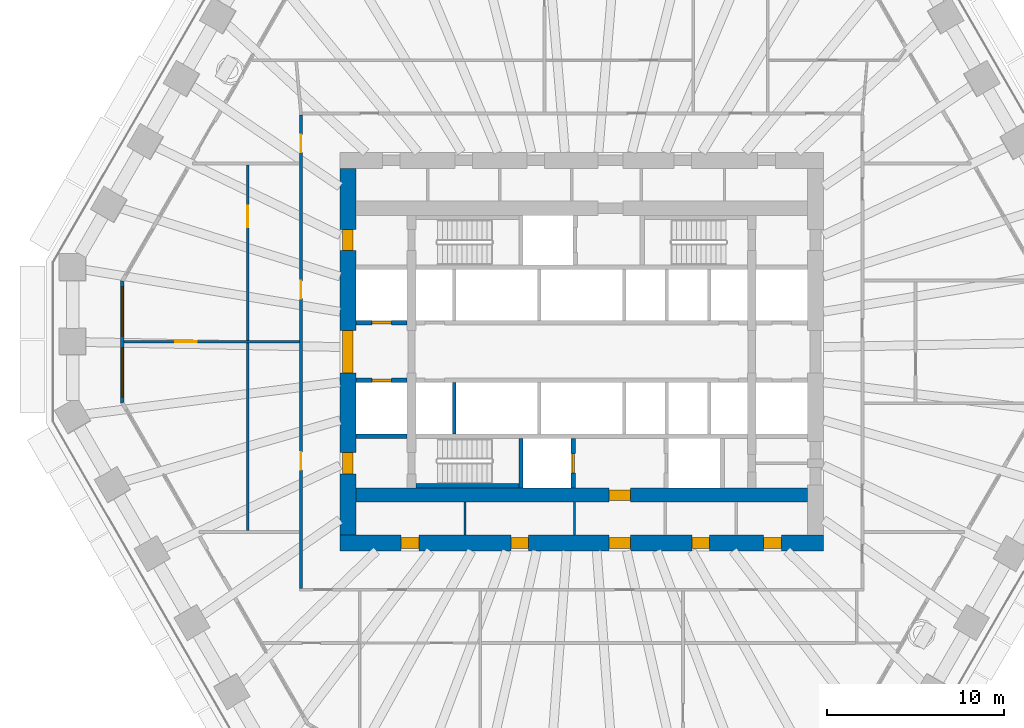
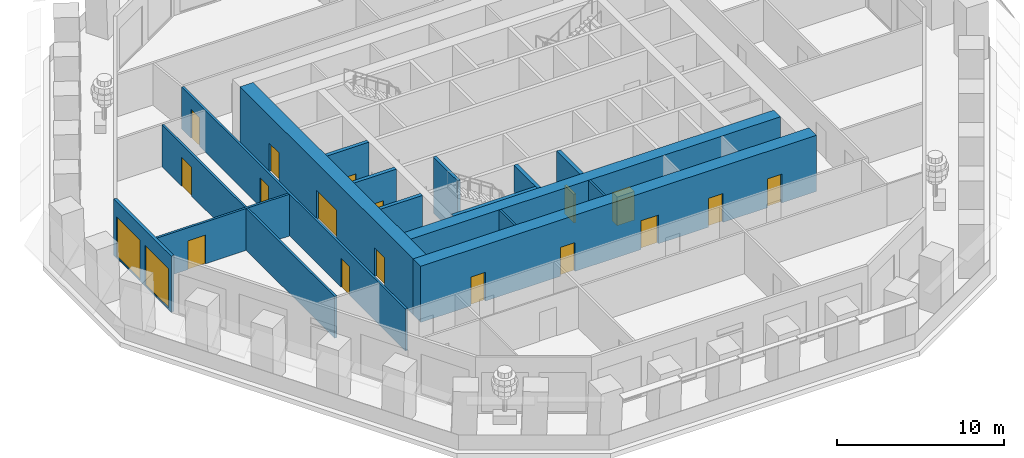
# One storey, part 4 of 13: 17 doors, 16 walls, 2 windows, 19 openings.
"""IFC4 building model written with IfcOpenShell, lengths in metres."""

import ifcopenshell
import ifcopenshell.guid

model = None  # the IFC model being written
_history = None  # IfcOwnerHistory: only IFC2X3 demands one
_inside = {}  # id of a spatial element -> (the spatial element, [elements in it])
_under = {}  # id of a project, library or spatial element -> (it, [spatial elements below it])
_declared = {}  # id of a project -> (the project, [libraries it declares])
_typed = {}  # id of a type object -> (the type object, [elements of that type])
_made_of = {}  # id of a material, layer set ... -> (it, [elements and type objects made of it])


def new_model(schema):
    """Start an empty IFC model of exactly this schema.

    Asked for "IFC4X3", IfcOpenShell would pick the latest addendum, in which some entities
    have other attributes; the version numbers below select the first issue.
    IFC2X3 requires an IfcOwnerHistory on every rooted entity: one is made here for all.
    """
    global model, _history
    if schema == "IFC4X3":
        model = ifcopenshell.file(schema_version=(4, 3, 0, 0))
    else:
        model = ifcopenshell.file(schema=schema)
    _inside.clear()
    _under.clear()
    _declared.clear()
    _typed.clear()
    _made_of.clear()
    _history = None
    if model.schema == "IFC2X3":
        org = make("IfcOrganization", Name="unknown")
        user = make(
            "IfcPersonAndOrganization",
            ThePerson=make("IfcPerson", FamilyName="unknown"),
            TheOrganization=org,
        )
        app = make(
            "IfcApplication",
            ApplicationDeveloper=org,
            Version="unknown",
            ApplicationFullName="unknown",
            ApplicationIdentifier="unknown",
        )
        _history = make(
            "IfcOwnerHistory",
            OwningUser=user,
            OwningApplication=app,
            ChangeAction="ADDED",
            CreationDate=0,
        )
    return model


def make(cls, **values):
    """One entity of the class cls with the attributes given. An attribute that is None is left unset."""
    return model.create_entity(
        cls, **{name: value for name, value in values.items() if value is not None}
    )


def rooted(cls, **values):
    """An entity with a GlobalId (a new one), such as an element, a storey or a relation."""
    return make(cls, GlobalId=ifcopenshell.guid.new(), OwnerHistory=_history, **values)


def si_unit(unit_type, name, prefix=None):
    """IfcSIUnit, for example si_unit("LENGTHUNIT", "METRE", prefix="MILLI")."""
    return make("IfcSIUnit", UnitType=unit_type, Prefix=prefix, Name=name)


def assignment(units):
    """IfcUnitAssignment: the units of a project."""
    return None if units is None else make("IfcUnitAssignment", Units=units)


def point(xyz):
    """IfcCartesianPoint."""
    return None if xyz is None else make("IfcCartesianPoint", Coordinates=xyz)


def direction(xyz):
    """IfcDirection."""
    return None if xyz is None else make("IfcDirection", DirectionRatios=xyz)


def frame(location, z_axis=None, x_axis=None):
    """IfcAxis2Placement3D, a coordinate frame: its origin and axes. An axis left out is left unset."""
    return make(
        "IfcAxis2Placement3D",
        Location=point(location),
        Axis=direction(z_axis),
        RefDirection=direction(x_axis),
    )


def frame_2d(location, x_axis=None):
    """IfcAxis2Placement2D, a coordinate frame in the plane: its origin and x axis."""
    return make(
        "IfcAxis2Placement2D", Location=point(location), RefDirection=direction(x_axis)
    )


def origin():
    """The frame at (0, 0, 0) with its axes left unset."""
    return frame((0.0, 0.0, 0.0))


def place(relative_to, where):
    """IfcLocalPlacement: puts the frame where relative to a parent placement (None: the world)."""
    return make(
        "IfcLocalPlacement", PlacementRelTo=relative_to, RelativePlacement=where
    )


def context(
    kind, dimensions, precision=None, world=None, true_north=None, identifier=None
):
    """IfcGeometricRepresentationContext, for example the 3D "Model" context."""
    return make(
        "IfcGeometricRepresentationContext",
        ContextIdentifier=identifier,
        ContextType=kind,
        CoordinateSpaceDimension=dimensions,
        Precision=precision,
        WorldCoordinateSystem=world,
        TrueNorth=true_north,
    )


def subcontext(parent, identifier, kind, view, scale=None):
    """IfcGeometricRepresentationSubContext, for example "Body" below "Model"."""
    return make(
        "IfcGeometricRepresentationSubContext",
        ContextIdentifier=identifier,
        ContextType=kind,
        ParentContext=parent,
        TargetScale=scale,
        TargetView=view,
    )


def project(units=None, contexts=None):
    """IfcProject with its units and contexts."""
    return rooted(
        "IfcProject",
        Name="project",
        RepresentationContexts=contexts,
        UnitsInContext=assignment(units),
    )


def spatial(cls, under=None, at=None, **own):
    """A site, building, storey or space (cls), placed at a placement, below another one or the project."""
    s = rooted(cls, ObjectPlacement=at, **own)
    if under is not None:
        _under.setdefault(under.id(), (under, []))[1].append(s)
    return s


def polyline(points):
    """IfcPolyline through the points."""
    return make("IfcPolyline", Points=[point(p) for p in points])


def profile(cls, at=None, kind="AREA", **sizes):
    """A parametric profile (cls). Its sizes go by their IFC names, for example OverallWidth=200.0."""
    return make(cls, ProfileType=kind, Position=at, **sizes)


def rectangle(**sizes):
    """IfcRectangleProfileDef."""
    return profile("IfcRectangleProfileDef", **sizes)


def outline(outer, holes=None, kind="AREA"):
    """IfcArbitraryClosedProfileDef: a profile drawn as a closed curve; with holes, ...WithVoids."""
    if holes is None:
        return make("IfcArbitraryClosedProfileDef", ProfileType=kind, OuterCurve=outer)
    return make(
        "IfcArbitraryProfileDefWithVoids",
        ProfileType=kind,
        OuterCurve=outer,
        InnerCurves=holes,
    )


def extrude(swept, where, along, depth):
    """IfcExtrudedAreaSolid: the profile swept, set in the frame where, extruded along a direction by depth."""
    return make(
        "IfcExtrudedAreaSolid",
        SweptArea=swept,
        Position=where,
        ExtrudedDirection=direction(along),
        Depth=depth,
    )


def shape(context_of_items, identifier, shape_type, items):
    """IfcShapeRepresentation: the items that make up one representation, for example the "Body"."""
    return make(
        "IfcShapeRepresentation",
        ContextOfItems=context_of_items,
        RepresentationIdentifier=identifier,
        RepresentationType=shape_type,
        Items=items,
    )


def material(Name=None, Category=None):
    """IfcMaterial."""
    return make("IfcMaterial", Name=Name, Category=Category)


def layer(
    of_material, thickness, ventilated=None, Name=None, Category=None, Priority=None
):
    """IfcMaterialLayer: one layer of a wall or slab, of a material (None: an air gap)."""
    return make(
        "IfcMaterialLayer",
        Material=of_material,
        LayerThickness=thickness,
        IsVentilated=ventilated,
        Name=Name,
        Category=Category,
        Priority=Priority,
    )


def layer_set(layers, Name=None):
    """IfcMaterialLayerSet."""
    return make("IfcMaterialLayerSet", MaterialLayers=layers, LayerSetName=Name)


def made_of(thing, what):
    """Note that an element or type object is made of a material, layer set ...; save() writes the relation."""
    if what is not None:
        _made_of.setdefault(what.id(), (what, []))[1].append(thing)
    return thing


def type_object(cls, material=None, **own):
    """A type object (cls), such as IfcWallType, which elements share."""
    return made_of(rooted(cls, **own), material)


def element(
    cls,
    number,
    at=None,
    inside=None,
    cuts=None,
    type_object=None,
    material=None,
    context=None,
    identifier="Body",
    shape_type=None,
    held_by="IfcProductDefinitionShape",
    body=None,
    shapes=None,
    **own,
):
    """One element of the class cls, such as IfcWall. Its Tag is "e" and its number.

    at: its placement. inside: the storey or other place that contains it. cuts: it is an
    opening in that element (IfcRelVoidsElement). A single representation is given by context,
    identifier, shape_type and body (its items); several are given by shapes. held_by: the class
    of the entity that holds the representations. save() writes the other relations.
    """
    e = rooted(cls, Tag="e%d" % number, ObjectPlacement=at, **own)
    if body is not None:
        shapes = [shape(context, identifier, shape_type, body)]
    if shapes is not None:
        e.Representation = make(held_by, Representations=shapes)
    if inside is not None:
        _inside.setdefault(inside.id(), (inside, []))[1].append(e)
    if cuts is not None:
        rooted(
            "IfcRelVoidsElement", RelatingBuildingElement=cuts, RelatedOpeningElement=e
        )
    if type_object is not None:
        _typed.setdefault(type_object.id(), (type_object, []))[1].append(e)
    return made_of(e, material)


def fill(opening, filler):
    """IfcRelFillsElement: the door or window that sits in an opening."""
    return rooted(
        "IfcRelFillsElement",
        RelatingOpeningElement=opening,
        RelatedBuildingElement=filler,
    )


def aggregate(whole, parts):
    """IfcRelAggregates: a whole, such as a stair, and the parts it consists of."""
    return rooted("IfcRelAggregates", RelatingObject=whole, RelatedObjects=parts)


def save(model, path):
    """Write the relations noted so far, then the file.

    IfcRelAggregates (storeys below a building ...), IfcRelContainedInSpatialStructure (elements
    in a storey), IfcRelDefinesByType, IfcRelAssociatesMaterial and IfcRelDeclares: one each for
    every whole, place, type object, material and project.
    """
    for whole, parts in _under.values():
        aggregate(whole, parts)
    for where, things in _inside.values():
        rooted(
            "IfcRelContainedInSpatialStructure",
            RelatedElements=things,
            RelatingStructure=where,
        )
    for kind, things in _typed.values():
        rooted("IfcRelDefinesByType", RelatedObjects=things, RelatingType=kind)
    for what, things in _made_of.values():
        rooted("IfcRelAssociatesMaterial", RelatedObjects=things, RelatingMaterial=what)
    for by, libraries in _declared.values():
        rooted("IfcRelDeclares", RelatingContext=by, RelatedDefinitions=libraries)
    model.write(path)


model = new_model("IFC4")

# Units and contexts
model_context = context("Model", 3, precision=1e-05, world=origin(), true_north=direction((0.0, 1.0)))
body_context = subcontext(model_context, "Body", "Model", "MODEL_VIEW")
ifc_project = project(units=[si_unit("LENGTHUNIT", "METRE"), si_unit("AREAUNIT", "SQUARE_METRE"), si_unit("VOLUMEUNIT", "CUBIC_METRE"), si_unit("PLANEANGLEUNIT", "RADIAN"), si_unit("MASSUNIT", "GRAM", prefix="KILO")], contexts=[model_context])

# Site, building, storey
site_placement = place(None, origin())
site = spatial("IfcSite", under=ifc_project, at=site_placement, CompositionType="ELEMENT")
building_placement = place(site_placement, origin())
building = spatial("IfcBuilding", under=site, at=building_placement, Name="Frailejon Research Tower", CompositionType="ELEMENT")
storey_placement = place(building_placement, frame((0.0, 0.0, 32.199951171875)))
storey = spatial("IfcBuildingStorey", under=building, at=storey_placement, Name="L07", CompositionType="ELEMENT", Elevation=32.199951171875)

# Walls
ifc_material_1 = material(Name="Plasterboard on steel studs", Category="steel")
ifc_layer_1 = layer(ifc_material_1, 0.125)
ifc_layer_set_1 = layer_set([ifc_layer_1], Name="Core partition 125")
wall_type_1 = type_object("IfcWallType", Name="Core partition 125", PredefinedType="PARTITIONING", material=ifc_layer_set_1)
for number, where, z_axis, x_axis, name in (
    (1, (-6.581298828125, -10.35009765625, 0.0), (0.0, 0.0, 1.0), (0.0, 1.0, 0.0), "Core partition"),
    (2, (-0.41259765625, -10.35009765625, 0.0), (0.0, 0.0, 1.0), (0.0, 1.0, 0.0), "Core partition"),
):
    element("IfcWall", number, at=place(storey_placement, frame(where, z_axis=z_axis, x_axis=x_axis)), inside=storey, type_object=wall_type_1, Name=name, PredefinedType="PARTITIONING", context=body_context, shape_type="SweptSolid", body=[
        extrude(rectangle(XDim=1.85009765625, YDim=0.125, at=frame_2d((0.925048828125, 0.0))), origin(), (0.0, 0.0, 1.0), 4.10009765625),
    ])

# Wall, opening, door
ifc_material_2 = material(Name="Concrete C70/85", Category="concrete")
ifc_layer_2 = layer(ifc_material_2, 0.800048828125)
ifc_layer_set_2 = layer_set([ifc_layer_2], Name="Core shear wall 800 C70/85")
wall_type_2 = type_object("IfcWallType", Name="Core shear wall 800 C70/85", PredefinedType="SHEAR", material=ifc_layer_set_2)
wall_1_placement = place(storey_placement, frame((-12.75, -8.10009765625, 0.0), z_axis=(0.0, 0.0, 1.0), x_axis=(1.0, 0.0, 0.0)))
wall_1 = element("IfcWall", 3, at=wall_1_placement, inside=storey, type_object=wall_type_2, Name="Core shear wall", PredefinedType="SHEAR", context=body_context, shape_type="SweptSolid", body=[
    extrude(rectangle(XDim=25.5, YDim=0.800048828125, at=frame_2d((12.75, 0.0))), origin(), (0.0, 0.0, 1.0), 4.10009765625),
])
opening_1_placement = place(wall_1_placement, frame((14.300048828125, 0.0, 0.0)))
opening_1 = element("IfcOpeningElement", 4, at=opening_1_placement, cuts=wall_1, Name="Opening D3", PredefinedType="OPENING", context=body_context, shape_type="SweptSolid", body=[
    extrude(rectangle(XDim=1.199951171875, YDim=2.10009765625, at=frame_2d((0.60009765625, 1.050048828125))), frame((0.0, 0.409912109375, 0.0), z_axis=(0.0, -1.0, 0.0), x_axis=(1.0, 0.0, 0.0)), (0.0, 0.0, 1.0), 0.820068359375),
])
ifc_material_3 = material(Name="Steel", Category="steel")
door_type_1 = type_object("IfcDoorType", Name="Firefighting lobby door", OperationType="SINGLE_SWING_LEFT", PredefinedType="DOOR", material=ifc_material_3)
door_1_placement = place(opening_1_placement, origin())
door_1 = element("IfcDoor", 5, at=door_1_placement, inside=storey, type_object=door_type_1, Name="Firefighting lobby door", OperationType="SINGLE_SWING_RIGHT", OverallHeight=2.10009765625, OverallWidth=1.199951171875, PredefinedType="DOOR", context=body_context, shape_type="SweptSolid", body=[
    extrude(rectangle(XDim=1.199951171875, YDim=2.10009765625, at=frame_2d((0.60009765625, 1.050048828125))), frame((0.0, 0.300048828125, 0.0), z_axis=(0.0, -1.0, 0.0), x_axis=(1.0, 0.0, 0.0)), (0.0, 0.0, 1.0), 0.60009765625),
])
fill(opening_1, door_1)

# Wall, openings, doors
ifc_material_4 = material(Name="Concrete C70/85", Category="concrete")
ifc_layer_3 = layer(ifc_material_4, 0.89990234375)
ifc_layer_set_3 = layer_set([ifc_layer_3], Name="Core shear wall 900 C70/85")
wall_type_3 = type_object("IfcWallType", Name="Core shear wall 900 C70/85", PredefinedType="SHEAR", material=ifc_layer_set_3)
wall_2_placement = place(storey_placement, frame((-13.64990234375, -10.800048828125, 0.0), z_axis=(0.0, 0.0, 1.0), x_axis=(1.0, 0.0, 0.0)))
wall_2 = element("IfcWall", 6, at=wall_2_placement, inside=storey, type_object=wall_type_3, Name="Core shear wall", PredefinedType="SHEAR", context=body_context, shape_type="SweptSolid", body=[
    extrude(rectangle(XDim=27.2998046875, YDim=0.89990234375, at=frame_2d((13.64990234375, 0.0))), origin(), (0.0, 0.0, 1.0), 4.10009765625),
])
opening_2_placement = place(wall_2_placement, frame((3.453125, 0.0, 0.0)))
opening_2 = element("IfcOpeningElement", 7, at=opening_2_placement, cuts=wall_2, Name="Opening D4", PredefinedType="OPENING", context=body_context, shape_type="SweptSolid", body=[
    extrude(rectangle(XDim=1.0, YDim=2.10009765625, at=frame_2d((0.5, 1.050048828125))), frame((0.0, 0.4599609375, 0.0), z_axis=(0.0, -1.0, 0.0), x_axis=(1.0, 0.0, 0.0)), (0.0, 0.0, 1.0), 0.919921875),
])
opening_3_placement = place(wall_2_placement, frame((9.653076171875, 0.0, 0.0)))
opening_3 = element("IfcOpeningElement", 8, at=opening_3_placement, cuts=wall_2, Name="Opening D4", PredefinedType="OPENING", context=body_context, shape_type="SweptSolid", body=[
    extrude(rectangle(XDim=1.0, YDim=2.10009765625, at=frame_2d((0.5, 1.050048828125))), frame((0.0, 0.4599609375, 0.0), z_axis=(0.0, -1.0, 0.0), x_axis=(1.0, 0.0, 0.0)), (0.0, 0.0, 1.0), 0.919921875),
])
opening_4_placement = place(wall_2_placement, frame((19.871826171875, 0.0, 0.0)))
opening_4 = element("IfcOpeningElement", 9, at=opening_4_placement, cuts=wall_2, Name="Opening D4", PredefinedType="OPENING", context=body_context, shape_type="SweptSolid", body=[
    extrude(rectangle(XDim=1.0, YDim=2.10009765625, at=frame_2d((0.5, 1.050048828125))), frame((0.0, 0.4599609375, 0.0), z_axis=(0.0, -1.0, 0.0), x_axis=(1.0, 0.0, 0.0)), (0.0, 0.0, 1.0), 0.919921875),
])
opening_5_placement = place(wall_2_placement, frame((23.921875, 0.0, 0.0)))
opening_5 = element("IfcOpeningElement", 10, at=opening_5_placement, cuts=wall_2, Name="Opening D4", PredefinedType="OPENING", context=body_context, shape_type="SweptSolid", body=[
    extrude(rectangle(XDim=1.0, YDim=2.10009765625, at=frame_2d((0.5, 1.050048828125))), frame((0.0, 0.4599609375, 0.0), z_axis=(0.0, -1.0, 0.0), x_axis=(1.0, 0.0, 0.0)), (0.0, 0.0, 1.0), 0.919921875),
])
opening_6_placement = place(wall_2_placement, frame((15.199951171875, 0.0, 0.0)))
opening_6 = element("IfcOpeningElement", 11, at=opening_6_placement, cuts=wall_2, Name="Opening D3", PredefinedType="OPENING", context=body_context, shape_type="SweptSolid", body=[
    extrude(rectangle(XDim=1.199951171875, YDim=2.10009765625, at=frame_2d((0.60009765625, 1.050048828125))), frame((0.0, 0.4599609375, 0.0), z_axis=(0.0, -1.0, 0.0), x_axis=(1.0, 0.0, 0.0)), (0.0, 0.0, 1.0), 0.919921875),
])
door_2_placement = place(opening_6_placement, origin())
door_2 = element("IfcDoor", 12, at=door_2_placement, inside=storey, type_object=door_type_1, Name="Passage door", OperationType="SINGLE_SWING_LEFT", OverallHeight=2.10009765625, OverallWidth=1.199951171875, PredefinedType="DOOR", context=body_context, shape_type="SweptSolid", body=[
    extrude(rectangle(XDim=1.199951171875, YDim=2.10009765625, at=frame_2d((0.60009765625, 1.050048828125))), frame((0.0, 0.300048828125, 0.0), z_axis=(0.0, -1.0, 0.0), x_axis=(1.0, 0.0, 0.0)), (0.0, 0.0, 1.0), 0.60009765625),
])
fill(opening_6, door_2)
ifc_material_5 = material(Name="Steel", Category="steel")
door_type_2 = type_object("IfcDoorType", Name="Service door", OperationType="SINGLE_SWING_LEFT", PredefinedType="DOOR", material=ifc_material_5)
door_3_placement = place(opening_2_placement, origin())
door_3 = element("IfcDoor", 13, at=door_3_placement, inside=storey, type_object=door_type_2, Name="Room door", OperationType="SINGLE_SWING_LEFT", OverallHeight=2.10009765625, OverallWidth=1.0, PredefinedType="DOOR", context=body_context, shape_type="SweptSolid", body=[
    extrude(rectangle(XDim=1.0, YDim=2.10009765625, at=frame_2d((0.5, 1.050048828125))), frame((0.0, 0.300048828125, 0.0), z_axis=(0.0, -1.0, 0.0), x_axis=(1.0, 0.0, 0.0)), (0.0, 0.0, 1.0), 0.60009765625),
])
fill(opening_2, door_3)
door_4_placement = place(opening_3_placement, origin())
door_4 = element("IfcDoor", 14, at=door_4_placement, inside=storey, type_object=door_type_2, Name="Room door", OperationType="SINGLE_SWING_RIGHT", OverallHeight=2.10009765625, OverallWidth=1.0, PredefinedType="DOOR", context=body_context, shape_type="SweptSolid", body=[
    extrude(rectangle(XDim=1.0, YDim=2.10009765625, at=frame_2d((0.5, 1.050048828125))), frame((0.0, 0.300048828125, 0.0), z_axis=(0.0, -1.0, 0.0), x_axis=(1.0, 0.0, 0.0)), (0.0, 0.0, 1.0), 0.60009765625),
])
fill(opening_3, door_4)
door_5_placement = place(opening_4_placement, origin())
door_5 = element("IfcDoor", 15, at=door_5_placement, inside=storey, type_object=door_type_2, Name="Room door", OperationType="SINGLE_SWING_LEFT", OverallHeight=2.10009765625, OverallWidth=1.0, PredefinedType="DOOR", context=body_context, shape_type="SweptSolid", body=[
    extrude(rectangle(XDim=1.0, YDim=2.10009765625, at=frame_2d((0.5, 1.050048828125))), frame((0.0, 0.300048828125, 0.0), z_axis=(0.0, -1.0, 0.0), x_axis=(1.0, 0.0, 0.0)), (0.0, 0.0, 1.0), 0.60009765625),
])
fill(opening_4, door_5)
door_6_placement = place(opening_5_placement, origin())
door_6 = element("IfcDoor", 16, at=door_6_placement, inside=storey, type_object=door_type_2, Name="Room door", OperationType="SINGLE_SWING_RIGHT", OverallHeight=2.10009765625, OverallWidth=1.0, PredefinedType="DOOR", context=body_context, shape_type="SweptSolid", body=[
    extrude(rectangle(XDim=1.0, YDim=2.10009765625, at=frame_2d((0.5, 1.050048828125))), frame((0.0, 0.300048828125, 0.0), z_axis=(0.0, -1.0, 0.0), x_axis=(1.0, 0.0, 0.0)), (0.0, 0.0, 1.0), 0.60009765625),
])
fill(opening_5, door_6)

wall_3_placement = place(storey_placement, frame((-13.199951171875, -10.35009765625, 0.0), z_axis=(0.0, 0.0, 1.0), x_axis=(0.0, 1.0, 0.0)))
wall_3 = element("IfcWall", 17, at=wall_3_placement, inside=storey, type_object=wall_type_3, Name="Core shear wall", PredefinedType="SHEAR", context=body_context, shape_type="SweptSolid", body=[
    extrude(rectangle(XDim=20.7001953125, YDim=0.89990234375, at=frame_2d((10.35009765625, 0.0))), origin(), (0.0, 0.0, 1.0), 4.10009765625),
])
opening_7_placement = place(wall_3_placement, frame((9.14990234375, 0.0, 0.0)))
opening_7 = element("IfcOpeningElement", 18, at=opening_7_placement, cuts=wall_3, Name="Opening D2", PredefinedType="OPENING", context=body_context, shape_type="SweptSolid", body=[
    extrude(rectangle(XDim=2.39990234375, YDim=2.10009765625, at=frame_2d((1.199951171875, 1.050048828125))), frame((0.0, 0.4599609375, 0.0), z_axis=(0.0, -1.0, 0.0), x_axis=(1.0, 0.0, 0.0)), (0.0, 0.0, 1.0), 0.919921875),
])
opening_8_placement = place(wall_3_placement, frame((16.050048828125, 0.0, 0.0)))
opening_8 = element("IfcOpeningElement", 19, at=opening_8_placement, cuts=wall_3, Name="Opening D7", PredefinedType="OPENING", context=body_context, shape_type="SweptSolid", body=[
    extrude(rectangle(XDim=1.199951171875, YDim=2.10009765625, at=frame_2d((0.60009765625, 1.050048828125))), frame((0.0, 0.4599609375, 0.0), z_axis=(0.0, -1.0, 0.0), x_axis=(1.0, 0.0, 0.0)), (0.0, 0.0, 1.0), 0.919921875),
])
opening_9_placement = place(wall_3_placement, frame((3.449951171875, 0.0, 0.0)))
opening_9 = element("IfcOpeningElement", 20, at=opening_9_placement, cuts=wall_3, Name="Opening D7", PredefinedType="OPENING", context=body_context, shape_type="SweptSolid", body=[
    extrude(rectangle(XDim=1.199951171875, YDim=2.10009765625, at=frame_2d((0.60009765625, 1.050048828125))), frame((0.0, 0.4599609375, 0.0), z_axis=(0.0, -1.0, 0.0), x_axis=(1.0, 0.0, 0.0)), (0.0, 0.0, 1.0), 0.919921875),
])
ifc_material_6 = material(Name="Steel", Category="steel")
door_type_3 = type_object("IfcDoorType", Name="Lobby double door", OperationType="DOUBLE_DOOR_SINGLE_SWING", PredefinedType="DOOR", material=ifc_material_6)
door_7_placement = place(opening_7_placement, origin())
door_7 = element("IfcDoor", 21, at=door_7_placement, inside=storey, type_object=door_type_3, Name="Lobby door", OperationType="DOUBLE_DOOR_SINGLE_SWING", OverallHeight=2.10009765625, OverallWidth=2.39990234375, PredefinedType="DOOR", context=body_context, shape_type="SweptSolid", body=[
    extrude(rectangle(XDim=2.39990234375, YDim=2.10009765625, at=frame_2d((1.199951171875, 1.050048828125))), frame((0.0, 0.300048828125, 0.0), z_axis=(0.0, -1.0, 0.0), x_axis=(1.0, 0.0, 0.0)), (0.0, 0.0, 1.0), 0.60009765625),
])
fill(opening_7, door_7)
ifc_material_7 = material(Name="Steel", Category="steel")
door_type_4 = type_object("IfcDoorType", Name="Stair exit door", OperationType="SINGLE_SWING_LEFT", PredefinedType="DOOR", material=ifc_material_7)
door_8_placement = place(opening_8_placement, origin())
door_8 = element("IfcDoor", 22, at=door_8_placement, inside=storey, type_object=door_type_4, Name="Stair exit door ST1", OperationType="SINGLE_SWING_LEFT", OverallHeight=2.10009765625, OverallWidth=1.199951171875, PredefinedType="DOOR", context=body_context, shape_type="SweptSolid", body=[
    extrude(rectangle(XDim=1.199951171875, YDim=2.10009765625, at=frame_2d((0.60009765625, 1.050048828125))), frame((0.0, 0.300048828125, 0.0), z_axis=(0.0, -1.0, 0.0), x_axis=(1.0, 0.0, 0.0)), (0.0, 0.0, 1.0), 0.60009765625),
])
fill(opening_8, door_8)
door_9_placement = place(opening_9_placement, origin())
door_9 = element("IfcDoor", 23, at=door_9_placement, inside=storey, type_object=door_type_4, Name="Stair exit door ST2", OperationType="SINGLE_SWING_LEFT", OverallHeight=2.10009765625, OverallWidth=1.199951171875, PredefinedType="DOOR", context=body_context, shape_type="SweptSolid", body=[
    extrude(rectangle(XDim=1.199951171875, YDim=2.10009765625, at=frame_2d((0.60009765625, 1.050048828125))), frame((0.0, 0.300048828125, 0.0), z_axis=(0.0, -1.0, 0.0), x_axis=(1.0, 0.0, 0.0)), (0.0, 0.0, 1.0), 0.60009765625),
])
fill(opening_9, door_9)

ifc_material_8 = material(Name="Gypsum board and masonry partition", Category="masonry")
ifc_layer_4 = layer(ifc_material_8, 0.14990234375)
ifc_layer_set_4 = layer_set([ifc_layer_4], Name="Corridor wall EI 60, gypsum on steel studs 150")
wall_type_4 = type_object("IfcWallType", Name="Corridor wall EI 60, gypsum on steel studs 150", PredefinedType="PARTITIONING", material=ifc_layer_set_4)
wall_4_placement = place(storey_placement, frame((-15.85009765625, -13.375, 0.0), z_axis=(0.0, 0.0, 1.0), x_axis=(0.0, 1.0, 0.0)))
wall_4 = element("IfcWall", 24, at=wall_4_placement, inside=storey, type_object=wall_type_4, Name="T:IW:L07:003", PredefinedType="PARTITIONING", context=body_context, shape_type="SweptSolid", body=[
    extrude(rectangle(XDim=26.75, YDim=0.14990234375, at=frame_2d((13.375, 0.0))), origin(), (0.0, 0.0, 1.0), 3.050048828125),
])
opening_10_placement = place(wall_4_placement, frame((24.631103515625, 0.0, 0.0)))
opening_10 = element("IfcOpeningElement", 25, at=opening_10_placement, cuts=wall_4, Name="Opening D1330", PredefinedType="OPENING", context=body_context, shape_type="SweptSolid", body=[
    extrude(rectangle(XDim=1.0, YDim=2.10009765625, at=frame_2d((0.5, 1.050048828125))), frame((0.0, 0.0849609375, 0.0), z_axis=(0.0, -1.0, 0.0), x_axis=(1.0, 0.0, 0.0)), (0.0, 0.0, 1.0), 0.169921875),
])
opening_11_placement = place(wall_4_placement, frame((16.37109375, 0.0, 0.0)))
opening_11 = element("IfcOpeningElement", 26, at=opening_11_placement, cuts=wall_4, Name="Opening D1331", PredefinedType="OPENING", context=body_context, shape_type="SweptSolid", body=[
    extrude(rectangle(XDim=1.0, YDim=2.10009765625, at=frame_2d((0.5, 1.050048828125))), frame((0.0, 0.0849609375, 0.0), z_axis=(0.0, -1.0, 0.0), x_axis=(1.0, 0.0, 0.0)), (0.0, 0.0, 1.0), 0.169921875),
])
opening_12_placement = place(wall_4_placement, frame((6.705078125, 0.0, 0.0)))
opening_12 = element("IfcOpeningElement", 27, at=opening_12_placement, cuts=wall_4, Name="Opening D1334", PredefinedType="OPENING", context=body_context, shape_type="SweptSolid", body=[
    extrude(rectangle(XDim=1.0, YDim=2.10009765625, at=frame_2d((0.5, 1.050048828125))), frame((0.0, 0.0849609375, 0.0), z_axis=(0.0, -1.0, 0.0), x_axis=(1.0, 0.0, 0.0)), (0.0, 0.0, 1.0), 0.169921875),
])
ifc_material_9 = material(Name="Timber door leaf", Category="wood")
door_type_5 = type_object("IfcDoorType", Name="Door laboratory, timber, vision panel 1000", OperationType="NOTDEFINED", PredefinedType="DOOR", material=ifc_material_9)
door_10_placement = place(opening_11_placement, origin())
door_10 = element("IfcDoor", 28, at=door_10_placement, inside=storey, type_object=door_type_5, Name="D1331", OperationType="SINGLE_SWING_RIGHT", OverallHeight=2.10009765625, OverallWidth=1.0, PredefinedType="DOOR", context=body_context, shape_type="SweptSolid", body=[
    extrude(rectangle(XDim=1.0, YDim=2.10009765625, at=frame_2d((0.5, 1.050048828125))), frame((0.0, 0.02490234375, 0.0), z_axis=(0.0, -1.0, 0.0), x_axis=(1.0, 0.0, 0.0)), (0.0, 0.0, 1.0), 0.050048828125),
])
fill(opening_11, door_10)
ifc_material_10 = material(Name="Timber door leaf", Category="wood")
door_type_6 = type_object("IfcDoorType", Name="Door single leaf, timber, steel frame 1000", OperationType="NOTDEFINED", PredefinedType="DOOR", material=ifc_material_10)
door_11_placement = place(opening_10_placement, origin())
door_11 = element("IfcDoor", 29, at=door_11_placement, inside=storey, type_object=door_type_6, Name="D1330", OperationType="SINGLE_SWING_LEFT", OverallHeight=2.10009765625, OverallWidth=1.0, PredefinedType="DOOR", context=body_context, shape_type="SweptSolid", body=[
    extrude(rectangle(XDim=1.0, YDim=2.10009765625, at=frame_2d((0.5, 1.050048828125))), frame((0.0, 0.02490234375, 0.0), z_axis=(0.0, -1.0, 0.0), x_axis=(1.0, 0.0, 0.0)), (0.0, 0.0, 1.0), 0.050048828125),
])
fill(opening_10, door_11)
door_12_placement = place(opening_12_placement, origin())
door_12 = element("IfcDoor", 30, at=door_12_placement, inside=storey, type_object=door_type_6, Name="D1334", OperationType="SINGLE_SWING_LEFT", OverallHeight=2.10009765625, OverallWidth=1.0, PredefinedType="DOOR", context=body_context, shape_type="SweptSolid", body=[
    extrude(rectangle(XDim=1.0, YDim=2.10009765625, at=frame_2d((0.5, 1.050048828125))), frame((0.0, 0.02490234375, 0.0), z_axis=(0.0, -1.0, 0.0), x_axis=(1.0, 0.0, 0.0)), (0.0, 0.0, 1.0), 0.050048828125),
])
fill(opening_12, door_12)

# Wall, opening, door
ifc_material_11 = material(Name="Gypsum board and masonry partition", Category="masonry")
ifc_layer_5 = layer(ifc_material_11, 0.14990234375)
ifc_layer_set_5 = layer_set([ifc_layer_5], Name="Laboratory partition, blockwork 150")
wall_type_5 = type_object("IfcWallType", Name="Laboratory partition, blockwork 150", PredefinedType="PARTITIONING", material=ifc_layer_set_5)
wall_5_placement = place(storey_placement, frame((-18.85009765625, -10.107177734375, 0.0), z_axis=(0.0, 0.0, 1.0), x_axis=(0.0, 1.0, 0.0)))
wall_5 = element("IfcWall", 31, at=wall_5_placement, inside=storey, type_object=wall_type_5, Name="T:IW:L07:015", PredefinedType="PARTITIONING", context=body_context, shape_type="SweptSolid", body=[
    extrude(rectangle(XDim=20.656982421875, YDim=0.14990234375, at=frame_2d((10.32861328125, 0.0))), origin(), (0.0, 0.0, 1.0), 3.050048828125),
])
opening_13_placement = place(wall_5_placement, frame((17.138916015625, 0.0, 0.0)))
opening_13 = element("IfcOpeningElement", 32, at=opening_13_placement, cuts=wall_5, Name="Opening D1332", PredefinedType="OPENING", context=body_context, shape_type="SweptSolid", body=[
    extrude(rectangle(XDim=1.199951171875, YDim=2.10009765625, at=frame_2d((0.60009765625, 1.050048828125))), frame((0.0, 0.0849609375, 0.0), z_axis=(0.0, -1.0, 0.0), x_axis=(1.0, 0.0, 0.0)), (0.0, 0.0, 1.0), 0.169921875),
])
ifc_material_12 = material(Name="Timber door leaf", Category="wood")
door_type_7 = type_object("IfcDoorType", Name="Door laboratory, timber, vision panel 1200", OperationType="NOTDEFINED", PredefinedType="DOOR", material=ifc_material_12)
door_13_placement = place(opening_13_placement, origin())
door_13 = element("IfcDoor", 33, at=door_13_placement, inside=storey, type_object=door_type_7, Name="D1332", OperationType="DOUBLE_DOOR_SINGLE_SWING", OverallHeight=2.10009765625, OverallWidth=1.199951171875, PredefinedType="DOOR", context=body_context, shape_type="SweptSolid", body=[
    extrude(rectangle(XDim=1.199951171875, YDim=2.10009765625, at=frame_2d((0.60009765625, 1.050048828125))), frame((0.0, 0.02490234375, 0.0), z_axis=(0.0, -1.0, 0.0), x_axis=(1.0, 0.0, 0.0)), (0.0, 0.0, 1.0), 0.050048828125),
])
fill(opening_13, door_13)

wall_6_placement = place(storey_placement, frame((-25.83203125, 0.552978515625, 0.0), z_axis=(0.0, 0.0, 1.0), x_axis=(1.0, 0.0, 0.0)))
wall_6 = element("IfcWall", 34, at=wall_6_placement, inside=storey, type_object=wall_type_5, Name="T:IW:L07:016", PredefinedType="PARTITIONING", context=body_context, shape_type="SweptSolid", body=[
    extrude(rectangle(XDim=9.906982421875, YDim=0.14990234375, at=frame_2d((4.95361328125, 0.0))), origin(), (0.0, 0.0, 1.0), 3.050048828125),
])
opening_14_placement = place(wall_6_placement, frame((2.89111328125, 0.0, 0.0)))
opening_14 = element("IfcOpeningElement", 35, at=opening_14_placement, cuts=wall_6, Name="Opening D1333", PredefinedType="OPENING", context=body_context, shape_type="SweptSolid", body=[
    extrude(rectangle(XDim=1.199951171875, YDim=2.10009765625, at=frame_2d((0.60009765625, 1.050048828125))), frame((0.0, 0.0849609375, 0.0), z_axis=(0.0, -1.0, 0.0), x_axis=(1.0, 0.0, 0.0)), (0.0, 0.0, 1.0), 0.169921875),
])
door_14_placement = place(opening_14_placement, origin())
door_14 = element("IfcDoor", 36, at=door_14_placement, inside=storey, type_object=door_type_7, Name="D1333", OperationType="DOUBLE_DOOR_SINGLE_SWING", OverallHeight=2.10009765625, OverallWidth=1.199951171875, PredefinedType="DOOR", context=body_context, shape_type="SweptSolid", body=[
    extrude(rectangle(XDim=1.199951171875, YDim=2.10009765625, at=frame_2d((0.60009765625, 1.050048828125))), frame((0.0, 0.02490234375, 0.0), z_axis=(0.0, -1.0, 0.0), x_axis=(1.0, 0.0, 0.0)), (0.0, 0.0, 1.0), 0.050048828125),
])
fill(opening_14, door_14)

# Wall
ifc_material_13 = material(Name="Concrete C70/85", Category="concrete")
ifc_layer_6 = layer(ifc_material_13, 0.199951171875)
ifc_layer_set_6 = layer_set([ifc_layer_6], Name="Shaft wall 200 C70/85")
wall_type_6 = type_object("IfcWallType", Name="Shaft wall 200 C70/85", PredefinedType="SOLIDWALL", material=ifc_layer_set_6)
wall_7_placement = place(storey_placement, frame((-7.199951171875, -4.64990234375, 0.0), z_axis=(0.0, 0.0, 1.0), x_axis=(0.0, 1.0, 0.0)))
element("IfcWall", 37, at=wall_7_placement, inside=storey, type_object=wall_type_6, Name="Shaft wall", PredefinedType="SOLIDWALL", context=body_context, shape_type="SweptSolid", body=[
    extrude(rectangle(XDim=2.89990234375, YDim=0.199951171875, at=frame_2d((1.449951171875, 0.0))), origin(), (0.0, 0.0, 1.0), 4.10009765625),
])

# Wall, opening, door
ifc_material_14 = material(Name="Concrete C70/85", Category="concrete")
ifc_layer_7 = layer(ifc_material_14, 0.25)
ifc_layer_set_7 = layer_set([ifc_layer_7], Name="Shaft wall 250 C70/85")
wall_type_7 = type_object("IfcWallType", Name="Shaft wall 250 C70/85", PredefinedType="SOLIDWALL", material=ifc_layer_set_7)
wall_8_placement = place(storey_placement, frame((-12.75, 1.625, 0.0), z_axis=(0.0, 0.0, 1.0), x_axis=(1.0, 0.0, 0.0)))
wall_8 = element("IfcWall", 38, at=wall_8_placement, inside=storey, type_object=wall_type_7, Name="Shaft wall", PredefinedType="SOLIDWALL", context=body_context, shape_type="SweptSolid", body=[
    extrude(rectangle(XDim=2.89990234375, YDim=0.25, at=frame_2d((1.449951171875, 0.0))), origin(), (0.0, 0.0, 1.0), 4.10009765625),
])
opening_15_placement = place(wall_8_placement, frame((0.89990234375, 0.0, 0.0)))
opening_15 = element("IfcOpeningElement", 39, at=opening_15_placement, cuts=wall_8, Name="Opening LD", PredefinedType="OPENING", context=body_context, shape_type="SweptSolid", body=[
    extrude(rectangle(XDim=1.10009765625, YDim=2.10009765625, at=frame_2d((0.550048828125, 1.050048828125))), frame((0.0, 0.135009765625, 0.0), z_axis=(0.0, -1.0, 0.0), x_axis=(1.0, 0.0, 0.0)), (0.0, 0.0, 1.0), 0.27001953125),
])
ifc_material_15 = material(Name="Steel", Category="steel")
door_type_8 = type_object("IfcDoorType", Name="Lift landing door", OperationType="DOUBLE_DOOR_SLIDING", PredefinedType="DOOR", material=ifc_material_15)
door_15_placement = place(opening_15_placement, origin())
door_15 = element("IfcDoor", 40, at=door_15_placement, inside=storey, type_object=door_type_8, Name="Lift landing door", OperationType="DOUBLE_DOOR_SLIDING", OverallHeight=2.10009765625, OverallWidth=1.10009765625, PredefinedType="DOOR", context=body_context, shape_type="SweptSolid", body=[
    extrude(rectangle(XDim=1.10009765625, YDim=2.10009765625, at=frame_2d((0.550048828125, 1.050048828125))), frame((0.0, 0.074951171875, 0.0), z_axis=(0.0, -1.0, 0.0), x_axis=(1.0, 0.0, 0.0)), (0.0, 0.0, 1.0), 0.14990234375),
])
fill(opening_15, door_15)

wall_9_placement = place(storey_placement, frame((-12.75, -1.625, 0.0), z_axis=(0.0, 0.0, 1.0), x_axis=(1.0, 0.0, 0.0)))
wall_9 = element("IfcWall", 41, at=wall_9_placement, inside=storey, type_object=wall_type_7, Name="Shaft wall", PredefinedType="SOLIDWALL", context=body_context, shape_type="SweptSolid", body=[
    extrude(rectangle(XDim=2.89990234375, YDim=0.25, at=frame_2d((1.449951171875, 0.0))), origin(), (0.0, 0.0, 1.0), 4.10009765625),
])
opening_16_placement = place(wall_9_placement, frame((0.89990234375, 0.0, 0.0)))
opening_16 = element("IfcOpeningElement", 42, at=opening_16_placement, cuts=wall_9, Name="Opening LD", PredefinedType="OPENING", context=body_context, shape_type="SweptSolid", body=[
    extrude(rectangle(XDim=1.10009765625, YDim=2.10009765625, at=frame_2d((0.550048828125, 1.050048828125))), frame((0.0, 0.135009765625, 0.0), z_axis=(0.0, -1.0, 0.0), x_axis=(1.0, 0.0, 0.0)), (0.0, 0.0, 1.0), 0.27001953125),
])
door_16_placement = place(opening_16_placement, origin())
door_16 = element("IfcDoor", 43, at=door_16_placement, inside=storey, type_object=door_type_8, Name="Lift landing door", OperationType="DOUBLE_DOOR_SLIDING", OverallHeight=2.10009765625, OverallWidth=1.10009765625, PredefinedType="DOOR", context=body_context, shape_type="SweptSolid", body=[
    extrude(rectangle(XDim=1.10009765625, YDim=2.10009765625, at=frame_2d((0.550048828125, 1.050048828125))), frame((0.0, 0.074951171875, 0.0), z_axis=(0.0, -1.0, 0.0), x_axis=(1.0, 0.0, 0.0)), (0.0, 0.0, 1.0), 0.14990234375),
])
fill(opening_16, door_16)

# Walls
wall_10_placement = place(storey_placement, frame((-12.75, -4.77490234375, 0.0), z_axis=(0.0, 0.0, 1.0), x_axis=(1.0, 0.0, 0.0)))
element("IfcWall", 44, at=wall_10_placement, inside=storey, type_object=wall_type_7, Name="Shaft wall", PredefinedType="SOLIDWALL", context=body_context, shape_type="SweptSolid", body=[
    extrude(rectangle(XDim=2.89990234375, YDim=0.25, at=frame_2d((1.449951171875, 0.0))), origin(), (0.0, 0.0, 1.0), 4.10009765625),
])
wall_11_placement = place(storey_placement, frame((-9.35009765625, -7.574951171875, 0.0), z_axis=(0.0, 0.0, 1.0), x_axis=(1.0, 0.0, 0.0)))
element("IfcWall", 45, at=wall_11_placement, inside=storey, type_object=wall_type_7, Name="Shaft wall", PredefinedType="SOLIDWALL", context=body_context, shape_type="SweptSolid", body=[
    extrude(rectangle(XDim=5.800048828125, YDim=0.25, at=frame_2d((2.89990234375, 0.0))), origin(), (0.0, 0.0, 1.0), 4.10009765625),
])
wall_12_placement = place(storey_placement, frame((-3.425048828125, -7.699951171875, 0.0), z_axis=(0.0, 0.0, 1.0), x_axis=(0.0, 1.0, 0.0)))
element("IfcWall", 46, at=wall_12_placement, inside=storey, type_object=wall_type_7, Name="Shaft wall", PredefinedType="SOLIDWALL", context=body_context, shape_type="SweptSolid", body=[
    extrude(rectangle(XDim=2.800048828125, YDim=0.25, at=frame_2d((1.39990234375, 0.0))), origin(), (0.0, 0.0, 1.0), 4.10009765625),
])

# Wall, opening, door
wall_13_placement = place(storey_placement, frame((-0.47509765625, -7.699951171875, 0.0), z_axis=(0.0, 0.0, 1.0), x_axis=(0.0, 1.0, 0.0)))
wall_13 = element("IfcWall", 47, at=wall_13_placement, inside=storey, type_object=wall_type_7, Name="Shaft wall", PredefinedType="SOLIDWALL", context=body_context, shape_type="SweptSolid", body=[
    extrude(rectangle(XDim=2.800048828125, YDim=0.25, at=frame_2d((1.39990234375, 0.0))), origin(), (0.0, 0.0, 1.0), 4.10009765625),
])
opening_17_placement = place(wall_13_placement, frame((0.85009765625, 0.0, 0.0)))
opening_17 = element("IfcOpeningElement", 48, at=opening_17_placement, cuts=wall_13, Name="Opening LD", PredefinedType="OPENING", context=body_context, shape_type="SweptSolid", body=[
    extrude(rectangle(XDim=1.10009765625, YDim=2.10009765625, at=frame_2d((0.550048828125, 1.050048828125))), frame((0.0, 0.135009765625, 0.0), z_axis=(0.0, -1.0, 0.0), x_axis=(1.0, 0.0, 0.0)), (0.0, 0.0, 1.0), 0.27001953125),
])
door_17_placement = place(opening_17_placement, origin())
door_17 = element("IfcDoor", 49, at=door_17_placement, inside=storey, type_object=door_type_8, Name="Lift landing door", OperationType="DOUBLE_DOOR_SLIDING", OverallHeight=2.10009765625, OverallWidth=1.10009765625, PredefinedType="DOOR", context=body_context, shape_type="SweptSolid", body=[
    extrude(rectangle(XDim=1.10009765625, YDim=2.10009765625, at=frame_2d((0.550048828125, 1.050048828125))), frame((0.0, 0.074951171875, 0.0), z_axis=(0.0, -1.0, 0.0), x_axis=(1.0, 0.0, 0.0)), (0.0, 0.0, 1.0), 0.14990234375),
])
fill(opening_17, door_17)

# Wall, openings, windows
ifc_material_16 = material(Name="Concrete C40/50 precast window wall panel", Category="concrete")
ifc_layer_8 = layer(ifc_material_16, 0.199951171875)
ifc_layer_set_8 = layer_set([ifc_layer_8], Name="Window wall 200")
wall_type_8 = type_object("IfcWallType", Name="Window wall 200", PredefinedType="SOLIDWALL", material=ifc_layer_set_8)
wall_14_placement = place(storey_placement, frame((-25.93212890625, 3.990478515625, 0.0), z_axis=(0.0, 0.0, 1.0), x_axis=(0.0, -1.0, 0.0)))
wall_14 = element("IfcWall", 50, at=wall_14_placement, inside=storey, type_object=wall_type_8, Name="Exterior wall L07", PredefinedType="SOLIDWALL", context=body_context, shape_type="SweptSolid", body=[
    extrude(outline(polyline([(-0.02685546875, -0.10009765625), (1.1279296875, -0.10009765625), (2.28271484375, -0.10009765625), (3.4375, -0.10009765625), (4.592041015625, -0.10009765625), (5.746826171875, -0.10009765625), (6.901611328125, -0.10009765625), (6.847900390625, 0.10009765625), (5.7109375, 0.10009765625), (4.57421875, 0.10009765625), (3.4375, 0.10009765625), (2.300537109375, 0.10009765625), (1.16357421875, 0.10009765625), (0.02685546875, 0.10009765625), (-0.02685546875, -0.10009765625)])), origin(), (0.0, 0.0, 1.0), 4.10009765625),
])
opening_18_placement = place(wall_14_placement, frame((0.318603515625, 0.0, 0.10009765625)))
opening_18 = element("IfcOpeningElement", 51, at=opening_18_placement, cuts=wall_14, Name="Opening W3", PredefinedType="OPENING", context=body_context, shape_type="SweptSolid", body=[
    extrude(rectangle(XDim=2.800048828125, YDim=2.89990234375, at=frame_2d((1.39990234375, 1.449951171875))), frame((0.0, 0.10986328125, 0.0), z_axis=(0.0, -1.0, 0.0), x_axis=(1.0, 0.0, 0.0)), (0.0, 0.0, 1.0), 0.219970703125),
])
opening_19_placement = place(wall_14_placement, frame((3.756103515625, 0.0, 0.10009765625)))
opening_19 = element("IfcOpeningElement", 52, at=opening_19_placement, cuts=wall_14, Name="Opening W3", PredefinedType="OPENING", context=body_context, shape_type="SweptSolid", body=[
    extrude(rectangle(XDim=2.800048828125, YDim=2.89990234375, at=frame_2d((1.39990234375, 1.449951171875))), frame((0.0, 0.10986328125, 0.0), z_axis=(0.0, -1.0, 0.0), x_axis=(1.0, 0.0, 0.0)), (0.0, 0.0, 1.0), 0.219970703125),
])
ifc_material_17 = material(Name="Aluminium framed double glazing", Category="aluminium")
window_type = type_object("IfcWindowType", Name="Window 2800x2900", PartitioningType="SINGLE_PANEL", PredefinedType="WINDOW", material=ifc_material_17)
window_1_placement = place(opening_18_placement, origin())
window_1 = element("IfcWindow", 53, at=window_1_placement, inside=storey, type_object=window_type, Name="Window L07", OverallHeight=2.89990234375, OverallWidth=2.800048828125, PartitioningType="SINGLE_PANEL", PredefinedType="WINDOW", context=body_context, shape_type="SweptSolid", body=[
    extrude(rectangle(XDim=2.800048828125, YDim=2.89990234375, at=frame_2d((1.39990234375, 1.449951171875))), frame((0.0, 0.030029296875, 0.0), z_axis=(0.0, -1.0, 0.0), x_axis=(1.0, 0.0, 0.0)), (0.0, 0.0, 1.0), 0.06005859375),
])
fill(opening_18, window_1)
window_2_placement = place(opening_19_placement, origin())
window_2 = element("IfcWindow", 54, at=window_2_placement, inside=storey, type_object=window_type, Name="Window L07", OverallHeight=2.89990234375, OverallWidth=2.800048828125, PartitioningType="SINGLE_PANEL", PredefinedType="WINDOW", context=body_context, shape_type="SweptSolid", body=[
    extrude(rectangle(XDim=2.800048828125, YDim=2.89990234375, at=frame_2d((1.39990234375, 1.449951171875))), frame((0.0, 0.030029296875, 0.0), z_axis=(0.0, -1.0, 0.0), x_axis=(1.0, 0.0, 0.0)), (0.0, 0.0, 1.0), 0.06005859375),
])
fill(opening_19, window_2)

save(model, "model.ifc")
